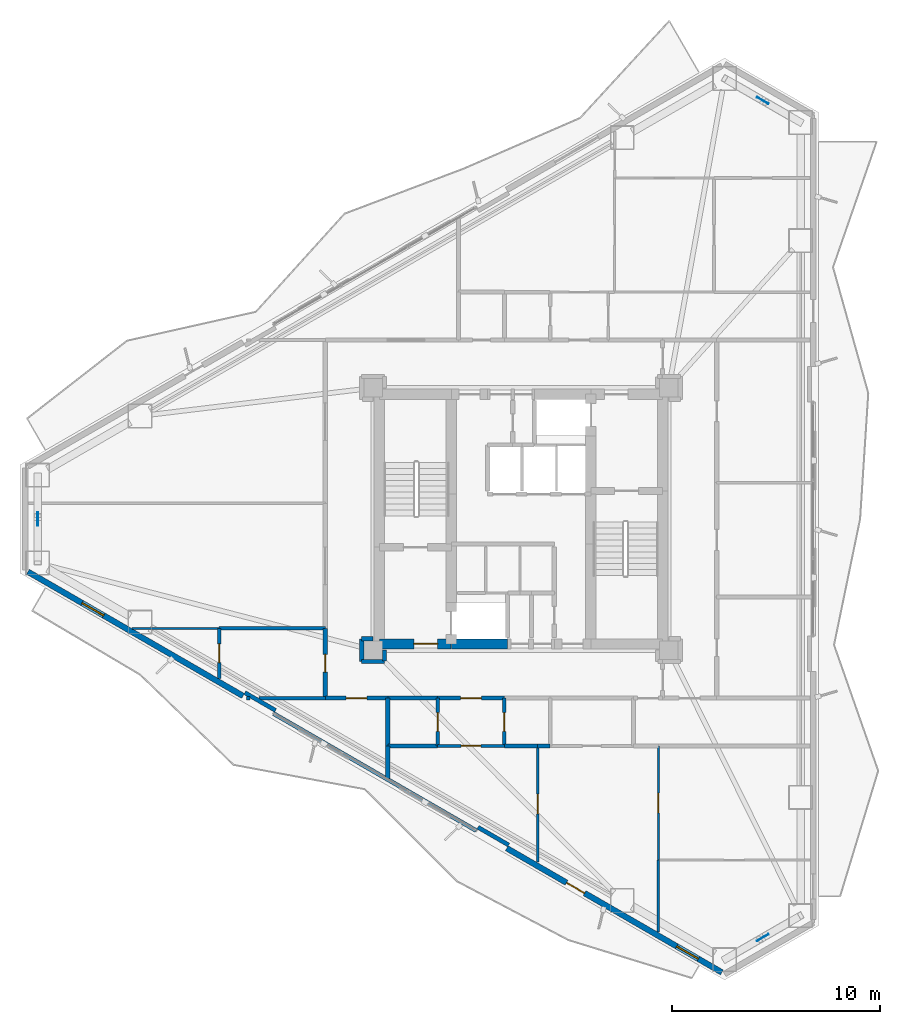
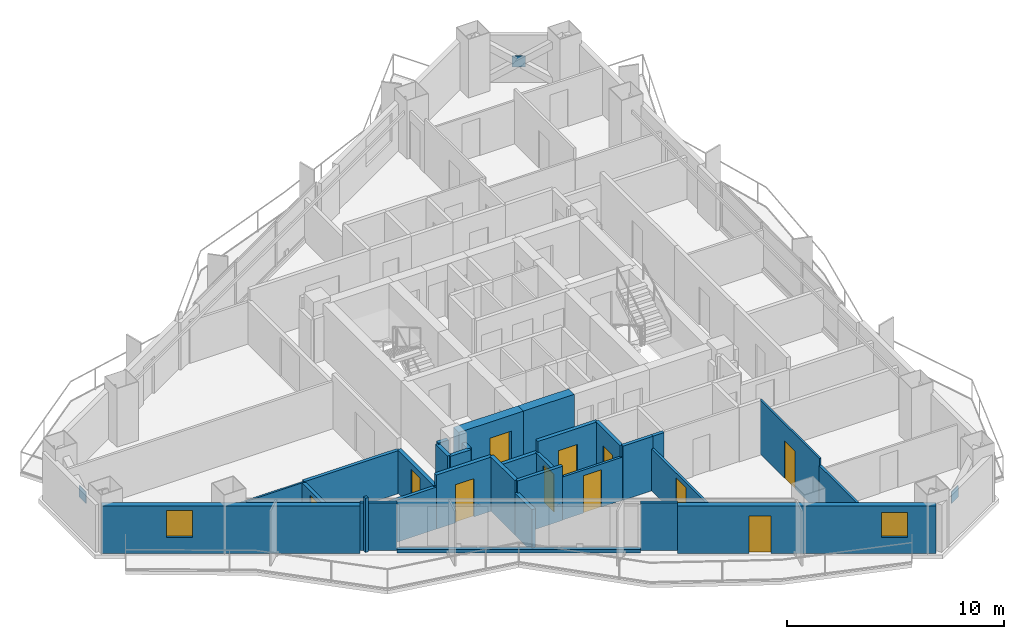
# One storey, part 15 of 22: 31 walls, 11 doors, 3 plates, 2 windows, 13 openings.
"""IFC4 building model written with IfcOpenShell, lengths in metres."""

from ifc_helpers import new_model, si_unit, direction, frame, frame_2d, origin, origin_2d, place, context, subcontext, project, spatial, rectangle, extrude, material, layer, layer_set, type_object, element, fill, save


model = new_model("IFC4")

# Units and contexts
model_context = context("Model", 3, precision=1e-05, world=origin(), true_north=direction((0.0, 1.0)))
body_context = subcontext(model_context, "Body", "Model", "MODEL_VIEW")
ifc_project = project(units=[si_unit("LENGTHUNIT", "METRE"), si_unit("AREAUNIT", "SQUARE_METRE"), si_unit("VOLUMEUNIT", "CUBIC_METRE"), si_unit("PLANEANGLEUNIT", "RADIAN"), si_unit("MASSUNIT", "GRAM", prefix="KILO")], contexts=[model_context])

# Site, building, storey
site_placement = place(None, origin())
site = spatial("IfcSite", under=ifc_project, at=site_placement, CompositionType="ELEMENT")
building_placement = place(site_placement, origin())
building = spatial("IfcBuilding", under=site, at=building_placement, Name="Mersakhor Tower and Convention Hall", CompositionType="ELEMENT")
storey_placement = place(building_placement, frame((0.0, 0.0, 90.0)))
storey = spatial("IfcBuildingStorey", under=building, at=storey_placement, Name="L24", CompositionType="ELEMENT", Elevation=90.0)

# Plates
ifc_material_1 = material(Name="Steel S460", Category="steel")
ifc_layer_1 = layer(ifc_material_1, 0.0400390625)
ifc_layer_set_1 = layer_set([ifc_layer_1], Name="Steel S460")
plate_type = type_object("IfcPlateType", Name="PL-GUSSET-40", PredefinedType="SHEET", material=ifc_layer_set_1)
for number, where, z_axis, x_axis, name in (
    (1, (40.606689453125, 46.853515625, 1.205078125), (0.0, 0.0, 1.0), (-0.866025403784, 0.5, 0.0), "L24 X-Brace Crossing Gusset Node Plate"),
    (2, (40.606689453125, 6.646728515625, 1.205078125), (0.0, 0.0, 1.0), (0.866025403784, 0.5, 0.0), "L24 X-Brace Crossing Gusset Node Plate"),
    (3, (5.78662109375, 26.75, 1.205078125), (0.0, 0.0, 1.0), (0.0, -1.0, 0.0), "L24 X-Brace Crossing Gusset Node Plate"),
):
    element("IfcPlate", number, at=place(storey_placement, frame(where, z_axis=z_axis, x_axis=x_axis)), inside=storey, type_object=plate_type, Name=name, PredefinedType="SHEET", context=body_context, shape_type="SweptSolid", body=[
        extrude(rectangle(XDim=0.639892578125, YDim=0.0400390625, at=origin_2d()), origin(), (0.0, 0.0, 1.0), 0.639892578125),
    ])

# Wall, openings, door, window
ifc_material_2 = material(Name="Precast concrete C45/55", Category="concrete")
ifc_layer_2 = layer(ifc_material_2, 0.27490234375)
ifc_layer_set_2 = layer_set([ifc_layer_2], Name="Precast concrete C45/55")
wall_type_1 = type_object("IfcWallType", Name="WL-EXT-275", PredefinedType="SOLIDWALL", material=ifc_layer_set_2)
wall_1_placement = place(storey_placement, frame((38.648681640625, 4.973388671875, 0.0), z_axis=(0.0, 0.0, 1.0), x_axis=(-0.866023023012, 0.500004123596, 0.0)))
wall_1 = element("IfcWall", 4, at=wall_1_placement, inside=storey, type_object=wall_type_1, Name="L24 Exterior Facade Wall F3-B1", PredefinedType="SOLIDWALL", context=body_context, shape_type="SweptSolid", body=[
    extrude(rectangle(XDim=11.9296875, YDim=0.27490234375, at=frame_2d((5.96484375, 0.0))), origin(), (0.0, 0.0, 1.0), 2.669921875),
])
opening_1_placement = place(wall_1_placement, frame((7.615966796875, 0.0, 0.0)))
opening_1 = element("IfcOpeningElement", 5, at=opening_1_placement, cuts=wall_1, Name="Opening BD-01", PredefinedType="OPENING", context=body_context, shape_type="SweptSolid", body=[
    extrude(rectangle(XDim=1.0, YDim=2.10009765625, at=frame_2d((0.5, 1.050048828125))), frame((0.0, 0.1474609375, 0.0), z_axis=(0.0, -1.0, 0.0), x_axis=(1.0, 0.0, 0.0)), (0.0, 0.0, 1.0), 0.294921875),
])
opening_2_placement = place(wall_1_placement, frame((1.304931640625, 0.0, 0.89990234375)))
opening_2 = element("IfcOpeningElement", 6, at=opening_2_placement, cuts=wall_1, Name="Opening W-01", PredefinedType="OPENING", context=body_context, shape_type="SweptSolid", body=[
    extrude(rectangle(XDim=1.199951171875, YDim=1.39990234375, at=frame_2d((0.60009765625, 0.699951171875))), frame((0.0, 0.1474609375, 0.0), z_axis=(0.0, -1.0, 0.0), x_axis=(1.0, 0.0, 0.0)), (0.0, 0.0, 1.0), 0.294921875),
])
ifc_material_3 = material(Name="Thermally broken dark aluminium and safety glass", Category="aluminium")
door_type_1 = type_object("IfcDoorType", Name="DR-BAL-100x210", OperationType="NOTDEFINED", PredefinedType="DOOR", material=ifc_material_3)
door_1_placement = place(opening_1_placement, origin())
door_1 = element("IfcDoor", 7, at=door_1_placement, inside=storey, type_object=door_type_1, Name="L24 Balcony Terrace Door F3-B1", OperationType="SINGLE_SWING_LEFT", OverallHeight=2.10009765625, OverallWidth=1.0, PredefinedType="DOOR", context=body_context, shape_type="SweptSolid", body=[
    extrude(rectangle(XDim=1.0, YDim=2.10009765625, at=frame_2d((0.5, 1.050048828125))), frame((0.0, 0.02490234375, 0.0), z_axis=(0.0, -1.0, 0.0), x_axis=(1.0, 0.0, 0.0)), (0.0, 0.0, 1.0), 0.050048828125),
])
fill(opening_1, door_1)
ifc_material_4 = material(Name="Dark solar low-E glazed aluminium window", Category="aluminium")
window_type = type_object("IfcWindowType", Name="WN-RES-120x150", PartitioningType="SINGLE_PANEL", PredefinedType="WINDOW", material=ifc_material_4)
window_1_placement = place(opening_2_placement, origin())
window_1 = element("IfcWindow", 8, at=window_1_placement, inside=storey, type_object=window_type, Name="L24 Bedroom Facade Window F3-B1-1", OverallHeight=1.39990234375, OverallWidth=1.199951171875, PartitioningType="SINGLE_PANEL", PredefinedType="WINDOW", context=body_context, shape_type="SweptSolid", body=[
    extrude(rectangle(XDim=1.199951171875, YDim=1.39990234375, at=frame_2d((0.60009765625, 0.699951171875))), frame((0.0, 0.030029296875, 0.0), z_axis=(0.0, -1.0, 0.0), x_axis=(1.0, 0.0, 0.0)), (0.0, 0.0, 1.0), 0.06005859375),
])
fill(opening_2, window_1)

# Wall, opening, window
wall_2_placement = place(storey_placement, frame((15.64794921875, 18.2529296875, 0.0), z_axis=(0.0, 0.0, 1.0), x_axis=(-0.866023023012, 0.500004123596, 0.0)))
wall_2 = element("IfcWall", 9, at=wall_2_placement, inside=storey, type_object=wall_type_1, Name="L24 Exterior Facade Wall F3-B3", PredefinedType="SOLIDWALL", context=body_context, shape_type="SweptSolid", body=[
    extrude(rectangle(XDim=11.9296875, YDim=0.27490234375, at=frame_2d((5.96484375, 0.0))), origin(), (0.0, 0.0, 1.0), 2.669921875),
])
opening_3_placement = place(wall_2_placement, frame((7.72509765625, 0.0, 0.89990234375)))
opening_3 = element("IfcOpeningElement", 10, at=opening_3_placement, cuts=wall_2, Name="Opening W-01", PredefinedType="OPENING", context=body_context, shape_type="SweptSolid", body=[
    extrude(rectangle(XDim=1.199951171875, YDim=1.5, at=frame_2d((0.60009765625, 0.75))), frame((0.0, 0.1474609375, 0.0), z_axis=(0.0, -1.0, 0.0), x_axis=(1.0, 0.0, 0.0)), (0.0, 0.0, 1.0), 0.294921875),
])
window_2_placement = place(opening_3_placement, origin())
window_2 = element("IfcWindow", 11, at=window_2_placement, inside=storey, type_object=window_type, Name="L24 Facade Punched Window F3-B3", OverallHeight=1.5, OverallWidth=1.199951171875, PartitioningType="SINGLE_PANEL", PredefinedType="WINDOW", context=body_context, shape_type="SweptSolid", body=[
    extrude(rectangle(XDim=1.199951171875, YDim=1.5, at=frame_2d((0.60009765625, 0.75))), frame((0.0, 0.030029296875, 0.0), z_axis=(0.0, -1.0, 0.0), x_axis=(1.0, 0.0, 0.0)), (0.0, 0.0, 1.0), 0.06005859375),
])
fill(opening_3, window_2)

# Walls
ifc_material_5 = material(Name="Precast concrete C40/50", Category="concrete")
ifc_layer_3 = layer(ifc_material_5, 0.199951171875)
ifc_layer_set_3 = layer_set([ifc_layer_3], Name="Precast concrete C40/50")
wall_type_2 = type_object("IfcWallType", Name="WL-PAR-200", PredefinedType="PARAPET", material=ifc_layer_set_3)
wall_3_placement = place(storey_placement, frame((26.84521484375, 11.788330078125, 0.0), z_axis=(0.0, 0.0, 1.0), x_axis=(-0.866027010039, 0.499997217876, 0.0)))
element("IfcWall", 12, at=wall_3_placement, inside=storey, type_object=wall_type_2, Name="L24 Curtain Wall Upstand Sill F3-B2", PredefinedType="PARAPET", context=body_context, shape_type="SweptSolid", body=[
    extrude(rectangle(XDim=11.2294921875, YDim=0.199951171875, at=frame_2d((5.61474609375, 0.0))), origin(), (0.0, 0.0, 1.0), 0.199951171875),
])
wall_4_placement = place(storey_placement, frame((28.407470703125, 11.09423828125, 0.0), z_axis=(0.0, 0.0, 1.0), x_axis=(-0.86605165483, 0.499954529098, 0.0)))
element("IfcWall", 13, at=wall_4_placement, inside=storey, type_object=wall_type_2, Name="L24 Column Pier Cladding Wall F3-C1", PredefinedType="PARAPET", context=body_context, shape_type="SweptSolid", body=[
    extrude(rectangle(XDim=1.699951171875, YDim=0.199951171875, at=frame_2d((0.85009765625, 0.0))), origin(), (0.0, 0.0, 1.0), 2.669921875),
])
wall_5_placement = place(storey_placement, frame((17.210205078125, 17.558837890625, 0.0), z_axis=(0.0, 0.0, 1.0), x_axis=(-0.866025371046, 0.500000056704, 0.0)))
element("IfcWall", 14, at=wall_5_placement, inside=storey, type_object=wall_type_2, Name="L24 Column Pier Cladding Wall F3-C2", PredefinedType="PARAPET", context=body_context, shape_type="SweptSolid", body=[
    extrude(rectangle(XDim=1.7001953125, YDim=0.199951171875, at=frame_2d((0.85009765625, 0.0))), origin(), (0.0, 0.0, 1.0), 2.669921875),
])

# Wall, opening, door
ifc_material_6 = material(Name="Moisture-resistant acoustic drywall studwork", Category="other")
ifc_layer_4 = layer(ifc_material_6, 0.175048828125)
ifc_layer_set_4 = layer_set([ifc_layer_4], Name="Moisture-resistant acoustic drywall studwork")
wall_type_3 = type_object("IfcWallType", Name="WL-PLM-175", PredefinedType="PLUMBINGWALL", material=ifc_layer_set_4)
wall_6_placement = place(storey_placement, frame((25.0, 15.85009765625, 0.0), z_axis=(0.0, 0.0, 1.0), x_axis=(0.0, 1.0, 0.0)))
wall_6 = element("IfcWall", 15, at=wall_6_placement, inside=storey, type_object=wall_type_3, Name="L24 Interior Partition Wall P-064", PredefinedType="PLUMBINGWALL", context=body_context, shape_type="SweptSolid", body=[
    extrude(rectangle(XDim=2.2998046875, YDim=0.175048828125, at=frame_2d((1.14990234375, 0.0))), origin(), (0.0, 0.0, 1.0), 2.4228515625),
])
opening_4_placement = place(wall_6_placement, frame((0.699951171875, 0.0, 0.0)))
opening_4 = element("IfcOpeningElement", 16, at=opening_4_placement, cuts=wall_6, Name="Opening WD-01", PredefinedType="OPENING", context=body_context, shape_type="SweptSolid", body=[
    extrude(rectangle(XDim=0.89990234375, YDim=2.10009765625, at=frame_2d((0.449951171875, 1.050048828125))), frame((0.0, 0.097412109375, 0.0), z_axis=(0.0, -1.0, 0.0), x_axis=(1.0, 0.0, 0.0)), (0.0, 0.0, 1.0), 0.195068359375),
])
ifc_material_7 = material(Name="Solid-core hardwood leaf in painted steel frame", Category="steel")
door_type_2 = type_object("IfcDoorType", Name="DR-INT-WET-090x210", OperationType="NOTDEFINED", PredefinedType="DOOR", material=ifc_material_7)
door_2_placement = place(opening_4_placement, origin())
door_2 = element("IfcDoor", 17, at=door_2_placement, inside=storey, type_object=door_type_2, Name="L24 L24 Flat S2 Apartment Hall to L24 Flat S2 Bathroom Door", OperationType="SINGLE_SWING_LEFT", OverallHeight=2.10009765625, OverallWidth=0.89990234375, PredefinedType="DOOR", context=body_context, shape_type="SweptSolid", body=[
    extrude(rectangle(XDim=0.89990234375, YDim=2.10009765625, at=frame_2d((0.449951171875, 1.050048828125))), frame((0.0, 0.02490234375, 0.0), z_axis=(0.0, -1.0, 0.0), x_axis=(1.0, 0.0, 0.0)), (0.0, 0.0, 1.0), 0.050048828125),
])
fill(opening_4, door_2)

wall_7_placement = place(storey_placement, frame((28.199951171875, 18.14990234375, 0.0), z_axis=(0.0, 0.0, 1.0), x_axis=(0.0, -1.0, 0.0)))
wall_7 = element("IfcWall", 18, at=wall_7_placement, inside=storey, type_object=wall_type_3, Name="L24 Interior Partition Wall P-065", PredefinedType="PLUMBINGWALL", context=body_context, shape_type="SweptSolid", body=[
    extrude(rectangle(XDim=2.2998046875, YDim=0.175048828125, at=frame_2d((1.14990234375, 0.0))), origin(), (0.0, 0.0, 1.0), 3.050048828125),
])
opening_5_placement = place(wall_7_placement, frame((0.699951171875, 0.0, 0.0)))
opening_5 = element("IfcOpeningElement", 19, at=opening_5_placement, cuts=wall_7, Name="Opening WD-01", PredefinedType="OPENING", context=body_context, shape_type="SweptSolid", body=[
    extrude(rectangle(XDim=0.89990234375, YDim=2.10009765625, at=frame_2d((0.449951171875, 1.050048828125))), frame((0.0, 0.097412109375, 0.0), z_axis=(0.0, -1.0, 0.0), x_axis=(1.0, 0.0, 0.0)), (0.0, 0.0, 1.0), 0.195068359375),
])
door_3_placement = place(opening_5_placement, origin())
door_3 = element("IfcDoor", 20, at=door_3_placement, inside=storey, type_object=door_type_2, Name="L24 L24 Flat S2 Apartment Hall to L24 Flat S2 En-Suite Shower Room Door", OperationType="SINGLE_SWING_RIGHT", OverallHeight=2.10009765625, OverallWidth=0.89990234375, PredefinedType="DOOR", context=body_context, shape_type="SweptSolid", body=[
    extrude(rectangle(XDim=0.89990234375, YDim=2.10009765625, at=frame_2d((0.449951171875, 1.050048828125))), frame((0.0, 0.02490234375, 0.0), z_axis=(0.0, -1.0, 0.0), x_axis=(1.0, 0.0, 0.0)), (0.0, 0.0, 1.0), 0.050048828125),
])
fill(opening_5, door_3)

# Walls
wall_8_placement = place(storey_placement, frame((14.5, 21.5, 0.0), z_axis=(0.0, 0.0, 1.0), x_axis=(1.0, 0.0, 0.0)))
element("IfcWall", 21, at=wall_8_placement, inside=storey, type_object=wall_type_3, Name="L24 Interior Partition Wall P-069", PredefinedType="PLUMBINGWALL", context=body_context, shape_type="SweptSolid", body=[
    extrude(rectangle(XDim=5.10009765625, YDim=0.175048828125, at=frame_2d((2.550048828125, 0.0))), origin(), (0.0, 0.0, 1.0), 2.4228515625),
])
wall_9_placement = place(storey_placement, frame((19.60009765625, 18.14990234375, 0.0), z_axis=(0.0, 0.0, 1.0), x_axis=(-1.0, 0.0, 0.0)))
element("IfcWall", 22, at=wall_9_placement, inside=storey, type_object=wall_type_3, Name="L24 Interior Partition Wall P-070", PredefinedType="PLUMBINGWALL", context=body_context, shape_type="SweptSolid", body=[
    extrude(rectangle(XDim=3.188232421875, YDim=0.175048828125, at=frame_2d((1.59423828125, 0.0))), origin(), (0.0, 0.0, 1.0), 2.364990234375),
])
wall_10_placement = place(storey_placement, frame((15.981201171875, 18.14990234375, 0.0), z_axis=(0.0, 0.0, 1.0), x_axis=(-1.0, 0.0, 0.0)))
element("IfcWall", 23, at=wall_10_placement, inside=storey, type_object=wall_type_3, Name="L24 Interior Partition Wall P-071", PredefinedType="PLUMBINGWALL", context=body_context, shape_type="SweptSolid", body=[
    extrude(rectangle(XDim=0.1552734375, YDim=0.175048828125, at=frame_2d((0.07763671875, 0.0))), origin(), (0.0, 0.0, 1.0), 3.050048828125),
])

# Wall, opening, door
wall_11_placement = place(storey_placement, frame((14.5, 19.102294921875, 0.0), z_axis=(0.0, 0.0, 1.0), x_axis=(0.0, 1.0, 0.0)))
wall_11 = element("IfcWall", 24, at=wall_11_placement, inside=storey, type_object=wall_type_3, Name="L24 Interior Partition Wall P-072", PredefinedType="PLUMBINGWALL", context=body_context, shape_type="SweptSolid", body=[
    extrude(rectangle(XDim=2.397705078125, YDim=0.175048828125, at=frame_2d((1.19873046875, 0.0))), origin(), (0.0, 0.0, 1.0), 2.364990234375),
])
opening_6_placement = place(wall_11_placement, frame((0.748779296875, 0.0, 0.0)))
opening_6 = element("IfcOpeningElement", 25, at=opening_6_placement, cuts=wall_11, Name="Opening WD-01", PredefinedType="OPENING", context=body_context, shape_type="SweptSolid", body=[
    extrude(rectangle(XDim=0.89990234375, YDim=2.10009765625, at=frame_2d((0.449951171875, 1.050048828125))), frame((0.0, 0.097412109375, 0.0), z_axis=(0.0, -1.0, 0.0), x_axis=(1.0, 0.0, 0.0)), (0.0, 0.0, 1.0), 0.195068359375),
])
door_4_placement = place(opening_6_placement, origin())
door_4 = element("IfcDoor", 26, at=door_4_placement, inside=storey, type_object=door_type_2, Name="L24 L24 West Wing Public Restroom WC to L24 West Wing Quiet Focus Room Door", OperationType="SINGLE_SWING_LEFT", OverallHeight=2.10009765625, OverallWidth=0.89990234375, PredefinedType="DOOR", context=body_context, shape_type="SweptSolid", body=[
    extrude(rectangle(XDim=0.89990234375, YDim=2.10009765625, at=frame_2d((0.449951171875, 1.050048828125))), frame((0.0, 0.02490234375, 0.0), z_axis=(0.0, -1.0, 0.0), x_axis=(1.0, 0.0, 0.0)), (0.0, 0.0, 1.0), 0.050048828125),
])
fill(opening_6, door_4)

# Walls
wall_12_placement = place(storey_placement, frame((25.0, 15.85009765625, 0.0), z_axis=(0.0, 0.0, 1.0), x_axis=(-1.0, 0.0, 0.0)))
element("IfcWall", 27, at=wall_12_placement, inside=storey, type_object=wall_type_3, Name="L24 Interior Partition Wall P-078", PredefinedType="PLUMBINGWALL", context=body_context, shape_type="SweptSolid", body=[
    extrude(rectangle(XDim=2.39990234375, YDim=0.175048828125, at=frame_2d((1.199951171875, 0.0))), origin(), (0.0, 0.0, 1.0), 3.050048828125),
])
wall_13_placement = place(storey_placement, frame((30.39990234375, 15.85009765625, 0.0), z_axis=(0.0, 0.0, 1.0), x_axis=(-1.0, 0.0, 0.0)))
element("IfcWall", 28, at=wall_13_placement, inside=storey, type_object=wall_type_3, Name="L24 Interior Partition Wall P-080", PredefinedType="PLUMBINGWALL", context=body_context, shape_type="SweptSolid", body=[
    extrude(rectangle(XDim=0.599853515625, YDim=0.175048828125, at=frame_2d((0.2998046875, 0.0))), origin(), (0.0, 0.0, 1.0), 3.050048828125),
])
wall_14_placement = place(storey_placement, frame((29.800048828125, 15.85009765625, 0.0), z_axis=(0.0, 0.0, 1.0), x_axis=(-1.0, 0.0, 0.0)))
element("IfcWall", 29, at=wall_14_placement, inside=storey, type_object=wall_type_3, Name="L24 Interior Partition Wall P-081", PredefinedType="PLUMBINGWALL", context=body_context, shape_type="SweptSolid", body=[
    extrude(rectangle(XDim=1.60009765625, YDim=0.175048828125, at=frame_2d((0.800048828125, 0.0))), origin(), (0.0, 0.0, 1.0), 3.050048828125),
])
ifc_material_8 = material(Name="Lightweight gypsum partition", Category="other")
ifc_layer_5 = layer(ifc_material_8, 0.10009765625)
ifc_layer_set_5 = layer_set([ifc_layer_5], Name="Lightweight gypsum partition")
wall_type_4 = type_object("IfcWallType", Name="WL-PRT-100", PredefinedType="PARTITIONING", material=ifc_layer_set_5)
wall_15_placement = place(storey_placement, frame((14.5, 21.5, 0.0), z_axis=(0.0, 0.0, 1.0), x_axis=(-1.0, 0.0, 0.0)))
element("IfcWall", 30, at=wall_15_placement, inside=storey, type_object=wall_type_4, Name="L24 Interior Partition Wall P-094", PredefinedType="PARTITIONING", context=body_context, shape_type="SweptSolid", body=[
    extrude(rectangle(XDim=4.182373046875, YDim=0.10009765625, at=frame_2d((2.09130859375, 0.0))), origin(), (0.0, 0.0, 1.0), 2.364990234375),
])

# Wall, opening, door
wall_16_placement = place(storey_placement, frame((35.60009765625, 15.85009765625, 0.0), z_axis=(0.0, 0.0, 1.0), x_axis=(0.0, -1.0, 0.0)))
wall_16 = element("IfcWall", 31, at=wall_16_placement, inside=storey, type_object=wall_type_4, Name="L24 Interior Partition Wall P-104", PredefinedType="PARTITIONING", context=body_context, shape_type="SweptSolid", body=[
    extrude(rectangle(XDim=5.47998046875, YDim=0.10009765625, at=frame_2d((2.739990234375, 0.0))), origin(), (0.0, 0.0, 1.0), 3.050048828125),
])
opening_7_placement = place(wall_16_placement, frame((2.264892578125, 0.0, 0.0)))
opening_7 = element("IfcOpeningElement", 32, at=opening_7_placement, cuts=wall_16, Name="Opening RD-01", PredefinedType="OPENING", context=body_context, shape_type="SweptSolid", body=[
    extrude(rectangle(XDim=0.949951171875, YDim=2.10009765625, at=frame_2d((0.47509765625, 1.050048828125))), frame((0.0, 0.06005859375, 0.0), z_axis=(0.0, -1.0, 0.0), x_axis=(1.0, 0.0, 0.0)), (0.0, 0.0, 1.0), 0.1201171875),
])
ifc_material_9 = material(Name="Solid-core hardwood leaf in painted steel frame", Category="steel")
door_type_3 = type_object("IfcDoorType", Name="DR-INT-RM-095x210", OperationType="NOTDEFINED", PredefinedType="DOOR", material=ifc_material_9)
door_5_placement = place(opening_7_placement, origin())
door_5 = element("IfcDoor", 33, at=door_5_placement, inside=storey, type_object=door_type_3, Name="L24 L24 Flat S2 Master Bedroom to L24 Flat S2 Dining Room Door", OperationType="SINGLE_SWING_RIGHT", OverallHeight=2.10009765625, OverallWidth=0.949951171875, PredefinedType="DOOR", context=body_context, shape_type="SweptSolid", body=[
    extrude(rectangle(XDim=0.949951171875, YDim=2.10009765625, at=frame_2d((0.47509765625, 1.050048828125))), frame((0.0, 0.02490234375, 0.0), z_axis=(0.0, -1.0, 0.0), x_axis=(1.0, 0.0, 0.0)), (0.0, 0.0, 1.0), 0.050048828125),
])
fill(opening_7, door_5)

ifc_material_10 = material(Name="Gypsum board acoustic partition", Category="other")
ifc_layer_6 = layer(ifc_material_10, 0.125)
ifc_layer_set_6 = layer_set([ifc_layer_6], Name="Gypsum board acoustic partition")
wall_type_5 = type_object("IfcWallType", Name="WL-PRT-125", PredefinedType="PARTITIONING", material=ifc_layer_set_6)
wall_17_placement = place(storey_placement, frame((28.199951171875, 15.85009765625, 0.0), z_axis=(0.0, 0.0, 1.0), x_axis=(-1.0, 0.0, 0.0)))
wall_17 = element("IfcWall", 34, at=wall_17_placement, inside=storey, type_object=wall_type_5, Name="L24 Interior Partition Wall P-063", PredefinedType="PARTITIONING", context=body_context, shape_type="SweptSolid", body=[
    extrude(rectangle(XDim=3.199951171875, YDim=0.125, at=frame_2d((1.60009765625, 0.0))), origin(), (0.0, 0.0, 1.0), 2.4228515625),
])
opening_8_placement = place(wall_17_placement, frame((1.125, 0.0, 0.0)))
opening_8 = element("IfcOpeningElement", 35, at=opening_8_placement, cuts=wall_17, Name="Opening RD-01", PredefinedType="OPENING", context=body_context, shape_type="SweptSolid", body=[
    extrude(rectangle(XDim=0.949951171875, YDim=2.10009765625, at=frame_2d((0.47509765625, 1.050048828125))), frame((0.0, 0.072509765625, 0.0), z_axis=(0.0, -1.0, 0.0), x_axis=(1.0, 0.0, 0.0)), (0.0, 0.0, 1.0), 0.14501953125),
])
door_6_placement = place(opening_8_placement, origin())
door_6 = element("IfcDoor", 36, at=door_6_placement, inside=storey, type_object=door_type_3, Name="L24 L24 Flat S2 Apartment Hall to L24 Flat S2 Living and Dining Room Door", OperationType="SINGLE_SWING_LEFT", OverallHeight=2.10009765625, OverallWidth=0.949951171875, PredefinedType="DOOR", context=body_context, shape_type="SweptSolid", body=[
    extrude(rectangle(XDim=0.949951171875, YDim=2.10009765625, at=frame_2d((0.47509765625, 1.050048828125))), frame((0.0, 0.02490234375, 0.0), z_axis=(0.0, -1.0, 0.0), x_axis=(1.0, 0.0, 0.0)), (0.0, 0.0, 1.0), 0.050048828125),
])
fill(opening_8, door_6)

wall_18_placement = place(storey_placement, frame((29.800048828125, 15.85009765625, 0.0), z_axis=(0.0, 0.0, 1.0), x_axis=(0.0, -1.0, 0.0)))
wall_18 = element("IfcWall", 37, at=wall_18_placement, inside=storey, type_object=wall_type_5, Name="L24 Interior Partition Wall P-103", PredefinedType="PARTITIONING", context=body_context, shape_type="SweptSolid", body=[
    extrude(rectangle(XDim=5.581298828125, YDim=0.125, at=frame_2d((2.79052734375, 0.0))), origin(), (0.0, 0.0, 1.0), 2.364990234375),
])
opening_9_placement = place(wall_18_placement, frame((2.3154296875, 0.0, 0.0)))
opening_9 = element("IfcOpeningElement", 38, at=opening_9_placement, cuts=wall_18, Name="Opening RD-01", PredefinedType="OPENING", context=body_context, shape_type="SweptSolid", body=[
    extrude(rectangle(XDim=0.949951171875, YDim=2.10009765625, at=frame_2d((0.47509765625, 1.050048828125))), frame((0.0, 0.072509765625, 0.0), z_axis=(0.0, -1.0, 0.0), x_axis=(1.0, 0.0, 0.0)), (0.0, 0.0, 1.0), 0.14501953125),
])
door_7_placement = place(opening_9_placement, origin())
door_7 = element("IfcDoor", 39, at=door_7_placement, inside=storey, type_object=door_type_3, Name="L24 L24 Flat S2 Living and Dining Room to L24 Flat S2 Master Bedroom Door", OperationType="SINGLE_SWING_LEFT", OverallHeight=2.10009765625, OverallWidth=0.949951171875, PredefinedType="DOOR", context=body_context, shape_type="SweptSolid", body=[
    extrude(rectangle(XDim=0.949951171875, YDim=2.10009765625, at=frame_2d((0.47509765625, 1.050048828125))), frame((0.0, 0.02490234375, 0.0), z_axis=(0.0, -1.0, 0.0), x_axis=(1.0, 0.0, 0.0)), (0.0, 0.0, 1.0), 0.050048828125),
])
fill(opening_9, door_7)

# Walls
wall_19_placement = place(storey_placement, frame((35.60009765625, 10.3701171875, 0.0), z_axis=(0.0, 0.0, 1.0), x_axis=(0.0, -1.0, 0.0)))
element("IfcWall", 40, at=wall_19_placement, inside=storey, type_object=wall_type_5, Name="L24 Interior Partition Wall P-105", PredefinedType="PARTITIONING", context=body_context, shape_type="SweptSolid", body=[
    extrude(rectangle(XDim=3.449951171875, YDim=0.125, at=frame_2d((1.72509765625, 0.0))), origin(), (0.0, 0.0, 1.0), 2.660400390625),
])
ifc_material_11 = material(Name="Acoustic concrete blockwork and gypsum board", Category="masonry")
ifc_layer_7 = layer(ifc_material_11, 0.199951171875)
ifc_layer_set_7 = layer_set([ifc_layer_7], Name="Acoustic concrete blockwork and gypsum board")
wall_type_6 = type_object("IfcWallType", Name="WL-PRT-200", PredefinedType="PARTITIONING", material=ifc_layer_set_7)
wall_20_placement = place(storey_placement, frame((21.35009765625, 19.89990234375, 0.0), z_axis=(0.0, 0.0, 1.0), x_axis=(1.0, 0.0, 0.0)))
element("IfcWall", 41, at=wall_20_placement, inside=storey, type_object=wall_type_6, Name="L24 Interior Partition Wall P-021", PredefinedType="PARTITIONING", context=body_context, shape_type="SweptSolid", body=[
    extrude(rectangle(XDim=1.099853515625, YDim=0.199951171875, at=frame_2d((0.5498046875, 0.0))), origin(), (0.0, 0.0, 1.0), 2.4228515625),
])
wall_21_placement = place(storey_placement, frame((22.449951171875, 19.929931640625, 0.0), z_axis=(0.0, 0.0, 1.0), x_axis=(0.0, 1.0, 0.0)))
element("IfcWall", 42, at=wall_21_placement, inside=storey, type_object=wall_type_6, Name="L24 Interior Partition Wall P-022", PredefinedType="PARTITIONING", context=body_context, shape_type="SweptSolid", body=[
    extrude(rectangle(XDim=0.52001953125, YDim=0.199951171875, at=frame_2d((0.260009765625, 0.0))), origin(), (0.0, 0.0, 1.0), 2.4228515625),
])

# Wall, opening, door
wall_22_placement = place(storey_placement, frame((28.199951171875, 18.14990234375, 0.0), z_axis=(0.0, 0.0, 1.0), x_axis=(-1.0, 0.0, 0.0)))
wall_22 = element("IfcWall", 43, at=wall_22_placement, inside=storey, type_object=wall_type_6, Name="L24 Interior Partition Wall P-029", PredefinedType="PARTITIONING", context=body_context, shape_type="SweptSolid", body=[
    extrude(rectangle(XDim=3.199951171875, YDim=0.199951171875, at=frame_2d((1.60009765625, 0.0))), origin(), (0.0, 0.0, 1.0), 3.050048828125),
])
opening_10_placement = place(wall_22_placement, frame((1.10009765625, 0.0, 0.0)))
opening_10 = element("IfcOpeningElement", 44, at=opening_10_placement, cuts=wall_22, Name="Opening FD-01", PredefinedType="OPENING", context=body_context, shape_type="SweptSolid", body=[
    extrude(rectangle(XDim=1.0, YDim=2.14990234375, at=frame_2d((0.5, 1.074951171875))), frame((0.0, 0.10986328125, 0.0), z_axis=(0.0, -1.0, 0.0), x_axis=(1.0, 0.0, 0.0)), (0.0, 0.0, 1.0), 0.219970703125),
])
ifc_material_12 = material(Name="Fire-rated hardwood leaf and painted steel frame", Category="steel")
door_type_4 = type_object("IfcDoorType", Name="DR-INT-FLT-100x215", OperationType="NOTDEFINED", PredefinedType="DOOR", material=ifc_material_12)
door_8_placement = place(opening_10_placement, origin())
door_8 = element("IfcDoor", 45, at=door_8_placement, inside=storey, type_object=door_type_4, Name="L24 Apartment Entrance Door (Residential Ring Corridor to L24 Flat S2 Apartment Hall)", OperationType="SINGLE_SWING_LEFT", OverallHeight=2.14990234375, OverallWidth=1.0, PredefinedType="DOOR", context=body_context, shape_type="SweptSolid", body=[
    extrude(rectangle(XDim=1.0, YDim=2.14990234375, at=frame_2d((0.5, 1.074951171875))), frame((0.0, 0.02490234375, 0.0), z_axis=(0.0, -1.0, 0.0), x_axis=(1.0, 0.0, 0.0)), (0.0, 0.0, 1.0), 0.050048828125),
])
fill(opening_10, door_8)

# Wall
wall_23_placement = place(storey_placement, frame((25.0, 18.14990234375, 0.0), z_axis=(0.0, 0.0, 1.0), x_axis=(-1.0, 0.0, 0.0)))
element("IfcWall", 46, at=wall_23_placement, inside=storey, type_object=wall_type_6, Name="L24 Interior Partition Wall P-030", PredefinedType="PARTITIONING", context=body_context, shape_type="SweptSolid", body=[
    extrude(rectangle(XDim=2.39990234375, YDim=0.199951171875, at=frame_2d((1.199951171875, 0.0))), origin(), (0.0, 0.0, 1.0), 2.4228515625),
])

# Wall, opening, door
wall_24_placement = place(storey_placement, frame((22.60009765625, 18.14990234375, 0.0), z_axis=(0.0, 0.0, 1.0), x_axis=(-1.0, 0.0, 0.0)))
wall_24 = element("IfcWall", 47, at=wall_24_placement, inside=storey, type_object=wall_type_6, Name="L24 Interior Partition Wall P-031", PredefinedType="PARTITIONING", context=body_context, shape_type="SweptSolid", body=[
    extrude(rectangle(XDim=3.0, YDim=0.199951171875, at=frame_2d((1.5, 0.0))), origin(), (0.0, 0.0, 1.0), 3.050048828125),
])
opening_11_placement = place(wall_24_placement, frame((1.0, 0.0, 0.0)))
opening_11 = element("IfcOpeningElement", 48, at=opening_11_placement, cuts=wall_24, Name="Opening FD-01", PredefinedType="OPENING", context=body_context, shape_type="SweptSolid", body=[
    extrude(rectangle(XDim=1.0, YDim=2.14990234375, at=frame_2d((0.5, 1.074951171875))), frame((0.0, 0.10986328125, 0.0), z_axis=(0.0, -1.0, 0.0), x_axis=(1.0, 0.0, 0.0)), (0.0, 0.0, 1.0), 0.219970703125),
])
door_9_placement = place(opening_11_placement, origin())
door_9 = element("IfcDoor", 49, at=door_9_placement, inside=storey, type_object=door_type_4, Name="L24 Residential Ring Corridor to L24 South-West Quiet Study Room Door", OperationType="SINGLE_SWING_LEFT", OverallHeight=2.14990234375, OverallWidth=1.0, PredefinedType="DOOR", context=body_context, shape_type="SweptSolid", body=[
    extrude(rectangle(XDim=1.0, YDim=2.14990234375, at=frame_2d((0.5, 1.074951171875))), frame((0.0, 0.02490234375, 0.0), z_axis=(0.0, -1.0, 0.0), x_axis=(1.0, 0.0, 0.0)), (0.0, 0.0, 1.0), 0.050048828125),
])
fill(opening_11, door_9)

wall_25_placement = place(storey_placement, frame((19.60009765625, 18.14990234375, 0.0), z_axis=(0.0, 0.0, 1.0), x_axis=(0.0, 1.0, 0.0)))
wall_25 = element("IfcWall", 50, at=wall_25_placement, inside=storey, type_object=wall_type_6, Name="L24 Interior Partition Wall P-032", PredefinedType="PARTITIONING", context=body_context, shape_type="SweptSolid", body=[
    extrude(rectangle(XDim=3.35009765625, YDim=0.199951171875, at=frame_2d((1.675048828125, 0.0))), origin(), (0.0, 0.0, 1.0), 2.4228515625),
])
opening_12_placement = place(wall_25_placement, frame((1.25, 0.0, 0.0)))
opening_12 = element("IfcOpeningElement", 51, at=opening_12_placement, cuts=wall_25, Name="Opening SVD-01", PredefinedType="OPENING", context=body_context, shape_type="SweptSolid", body=[
    extrude(rectangle(XDim=0.85009765625, YDim=2.10009765625, at=frame_2d((0.425048828125, 1.050048828125))), frame((0.0, 0.10986328125, 0.0), z_axis=(0.0, -1.0, 0.0), x_axis=(1.0, 0.0, 0.0)), (0.0, 0.0, 1.0), 0.219970703125),
])
ifc_material_13 = material(Name="Fire-rated hardwood leaf and painted steel frame", Category="steel")
door_type_5 = type_object("IfcDoorType", Name="DR-INT-SVC-085x210", OperationType="NOTDEFINED", PredefinedType="DOOR", material=ifc_material_13)
door_10_placement = place(opening_12_placement, origin())
door_10 = element("IfcDoor", 52, at=door_10_placement, inside=storey, type_object=door_type_5, Name="L24 Residential Ring Corridor to L24 West Wing Public Restroom WC Door", OperationType="SINGLE_SWING_LEFT", OverallHeight=2.10009765625, OverallWidth=0.85009765625, PredefinedType="DOOR", context=body_context, shape_type="SweptSolid", body=[
    extrude(rectangle(XDim=0.85009765625, YDim=2.10009765625, at=frame_2d((0.425048828125, 1.050048828125))), frame((0.0, 0.02490234375, 0.0), z_axis=(0.0, -1.0, 0.0), x_axis=(1.0, 0.0, 0.0)), (0.0, 0.0, 1.0), 0.050048828125),
])
fill(opening_12, door_10)

# Walls
wall_26_placement = place(storey_placement, frame((21.89990234375, 21.0, 0.0), z_axis=(0.0, 0.0, 1.0), x_axis=(-1.0, 0.0, 0.0)))
element("IfcWall", 53, at=wall_26_placement, inside=storey, type_object=wall_type_6, Name="L24 Interior Partition Wall P-047", PredefinedType="PARTITIONING", context=body_context, shape_type="SweptSolid", body=[
    extrude(rectangle(XDim=0.5498046875, YDim=0.199951171875, at=frame_2d((0.27490234375, 0.0))), origin(), (0.0, 0.0, 1.0), 2.498291015625),
])
wall_27_placement = place(storey_placement, frame((21.35009765625, 21.0, 0.0), z_axis=(0.0, 0.0, 1.0), x_axis=(0.0, -1.0, 0.0)))
element("IfcWall", 54, at=wall_27_placement, inside=storey, type_object=wall_type_6, Name="L24 Interior Partition Wall P-048", PredefinedType="PARTITIONING", context=body_context, shape_type="SweptSolid", body=[
    extrude(rectangle(XDim=1.10009765625, YDim=0.199951171875, at=frame_2d((0.550048828125, 0.0))), origin(), (0.0, 0.0, 1.0), 2.4228515625),
])
wall_28_placement = place(storey_placement, frame((22.60009765625, 15.85009765625, 0.0), z_axis=(0.0, 0.0, 1.0), x_axis=(0.0, 1.0, 0.0)))
element("IfcWall", 55, at=wall_28_placement, inside=storey, type_object=wall_type_6, Name="L24 Interior Partition Wall P-079", PredefinedType="PARTITIONING", context=body_context, shape_type="SweptSolid", body=[
    extrude(rectangle(XDim=2.2998046875, YDim=0.199951171875, at=frame_2d((1.14990234375, 0.0))), origin(), (0.0, 0.0, 1.0), 3.050048828125),
])
wall_29_placement = place(storey_placement, frame((22.60009765625, 15.85009765625, 0.0), z_axis=(0.0, 0.0, 1.0), x_axis=(0.0, -1.0, 0.0)))
element("IfcWall", 56, at=wall_29_placement, inside=storey, type_object=wall_type_6, Name="L24 Interior Partition Wall P-092", PredefinedType="PARTITIONING", context=body_context, shape_type="SweptSolid", body=[
    extrude(rectangle(XDim=1.5693359375, YDim=0.199951171875, at=frame_2d((0.78466796875, 0.0))), origin(), (0.0, 0.0, 1.0), 2.364990234375),
])
ifc_material_14 = material(Name="Concrete C70/85", Category="concrete")
ifc_layer_8 = layer(ifc_material_14, 0.5)
ifc_layer_set_8 = layer_set([ifc_layer_8], Name="Concrete C70/85")
wall_type_7 = type_object("IfcWallType", Name="WL-SHR-500", PredefinedType="SHEAR", material=ifc_layer_set_8)
wall_30_placement = place(storey_placement, frame((28.35009765625, 20.75, 0.0), z_axis=(0.0, 0.0, 1.0), x_axis=(-1.0, 0.0, 0.0)))
element("IfcWall", 57, at=wall_30_placement, inside=storey, type_object=wall_type_7, Name="L24 Core Wall CW-S3", PredefinedType="SHEAR", context=body_context, shape_type="SweptSolid", body=[
    extrude(rectangle(XDim=2.7001953125, YDim=0.5, at=frame_2d((1.35009765625, 0.0))), origin(), (0.0, 0.0, 1.0), 3.050048828125),
])

# Wall, opening, door
wall_31_placement = place(storey_placement, frame((25.64990234375, 20.75, 0.0), z_axis=(0.0, 0.0, 1.0), x_axis=(-1.0, 0.0, 0.0)))
wall_31 = element("IfcWall", 58, at=wall_31_placement, inside=storey, type_object=wall_type_7, Name="L24 Core Wall CW-S4", PredefinedType="SHEAR", context=body_context, shape_type="SweptSolid", body=[
    extrude(rectangle(XDim=3.449951171875, YDim=0.5, at=frame_2d((1.72509765625, 0.0))), origin(), (0.0, 0.0, 1.0), 3.050048828125),
])
opening_13_placement = place(wall_31_placement, frame((0.64990234375, 0.0, 0.0)))
opening_13 = element("IfcOpeningElement", 59, at=opening_13_placement, cuts=wall_31, Name="Opening SD-01", PredefinedType="OPENING", context=body_context, shape_type="SweptSolid", body=[
    extrude(rectangle(XDim=1.14990234375, YDim=2.14990234375, at=frame_2d((0.574951171875, 1.074951171875))), frame((0.0, 0.260009765625, 0.0), z_axis=(0.0, -1.0, 0.0), x_axis=(1.0, 0.0, 0.0)), (0.0, 0.0, 1.0), 0.52001953125),
])
ifc_material_15 = material(Name="Fire-rated hardwood leaf and painted steel frame", Category="steel")
door_type_6 = type_object("IfcDoorType", Name="DR-INT-STAIR-115x215", OperationType="NOTDEFINED", PredefinedType="DOOR", material=ifc_material_15)
door_11_placement = place(opening_13_placement, origin())
door_11 = element("IfcDoor", 60, at=door_11_placement, inside=storey, type_object=door_type_6, Name="L24 Firefighting Lobby West Fire Door", OperationType="SINGLE_SWING_LEFT", OverallHeight=2.14990234375, OverallWidth=1.14990234375, PredefinedType="DOOR", context=body_context, shape_type="SweptSolid", body=[
    extrude(rectangle(XDim=1.14990234375, YDim=2.14990234375, at=frame_2d((0.574951171875, 1.074951171875))), frame((0.0, 0.02490234375, 0.0), z_axis=(0.0, -1.0, 0.0), x_axis=(1.0, 0.0, 0.0)), (0.0, 0.0, 1.0), 0.050048828125),
])
fill(opening_13, door_11)

save(model, "model.ifc")
